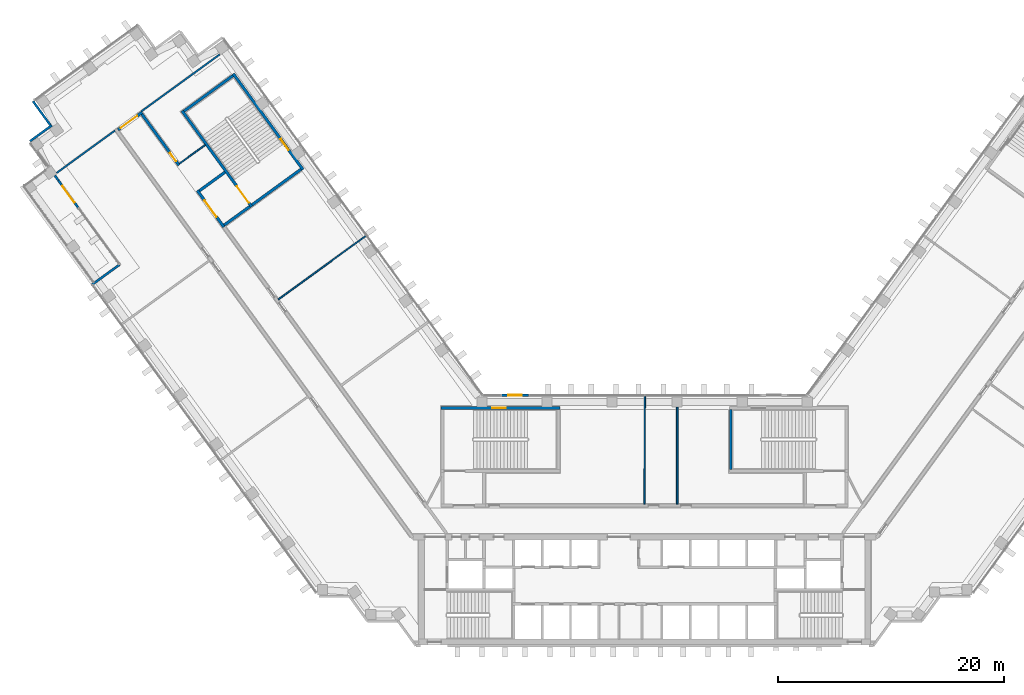
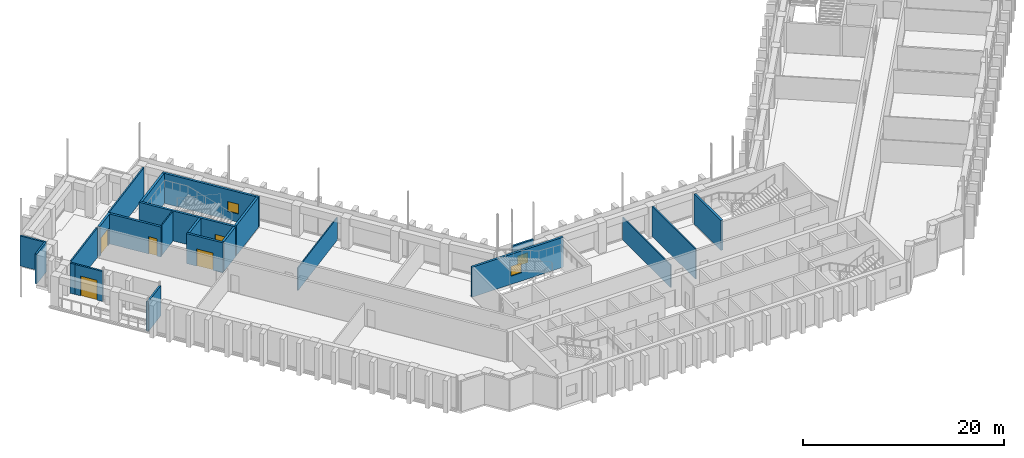
# One storey, part 13 of 19: 23 walls, 5 doors, 3 windows, 8 openings.
"""IFC4 building model written with IfcOpenShell, lengths in metres."""

from ifc_helpers import new_model, si_unit, direction, frame, frame_2d, origin, place, context, subcontext, project, spatial, rectangle, extrude, material, layer, layer_set, type_object, element, fill, save


model = new_model("IFC4")

# Units and contexts
model_context = context("Model", 3, precision=1e-05, world=origin(), true_north=direction((0.0, 1.0)))
body_context = subcontext(model_context, "Body", "Model", "MODEL_VIEW")
ifc_project = project(units=[si_unit("LENGTHUNIT", "METRE"), si_unit("AREAUNIT", "SQUARE_METRE"), si_unit("VOLUMEUNIT", "CUBIC_METRE"), si_unit("PLANEANGLEUNIT", "RADIAN"), si_unit("MASSUNIT", "GRAM", prefix="KILO")], contexts=[model_context])

# Site, building, storey
site_placement = place(None, origin())
site = spatial("IfcSite", under=ifc_project, at=site_placement, CompositionType="ELEMENT")
building_placement = place(site_placement, origin())
building = spatial("IfcBuilding", under=site, at=building_placement, Name="Quipu Civic Tower", CompositionType="ELEMENT")
storey_placement = place(building_placement, frame((0.0, 0.0, 35.0)))
storey = spatial("IfcBuildingStorey", under=building, at=storey_placement, Name="L07", CompositionType="ELEMENT", Elevation=35.0)

# Walls
ifc_material_1 = material(Name="Double gypsum plasterboard with mineral wool")
ifc_layer_1 = layer(ifc_material_1, 0.14990234375)
ifc_layer_set_1 = layer_set([ifc_layer_1], Name="Double gypsum plasterboard with mineral wool")
wall_type_1 = type_object("IfcWallType", Name="Acoustic partition 150 plasterboard", PredefinedType="PARTITIONING", material=ifc_layer_set_1)
wall_1_placement = place(storey_placement, frame((-37.614013671875, 41.2568359375, 0.0), z_axis=(0.0, 0.0, 1.0), x_axis=(-0.808991595707, -0.587820208972, 0.0)))
element("IfcWall", 1, at=wall_1_placement, inside=storey, type_object=wall_type_1, Name="Partition P07", PredefinedType="PARTITIONING", context=body_context, shape_type="SweptSolid", body=[
    extrude(rectangle(XDim=8.550537109375, YDim=0.14990234375, at=frame_2d((4.275390625, 0.0))), origin(), (0.0, 0.0, 1.0), 3.64990234375),
])
wall_2_placement = place(storey_placement, frame((-46.87744140625, 34.526123046875, 0.0), z_axis=(0.0, 0.0, 1.0), x_axis=(-0.809011722304, -0.587792508607, 0.0)))
element("IfcWall", 2, at=wall_2_placement, inside=storey, type_object=wall_type_1, Name="Partition P10", PredefinedType="PARTITIONING", context=body_context, shape_type="SweptSolid", body=[
    extrude(rectangle(XDim=6.394287109375, YDim=0.14990234375, at=frame_2d((3.197265625, 0.0))), origin(), (0.0, 0.0, 1.0), 3.64990234375),
])
wall_3_placement = place(storey_placement, frame((2.89892578125, 10.044921875, 0.0), z_axis=(0.0, 0.0, 1.0), x_axis=(0.0, -1.0, 0.0)))
element("IfcWall", 3, at=wall_3_placement, inside=storey, type_object=wall_type_1, Name="Partition P14", PredefinedType="PARTITIONING", context=body_context, shape_type="SweptSolid", body=[
    extrude(rectangle(XDim=8.594970703125, YDim=0.14990234375, at=frame_2d((4.29736328125, 0.0))), origin(), (0.0, 0.0, 1.0), 3.64990234375),
])

# Wall, opening, window
ifc_material_2 = material(Name="Concrete C70/85", Category="concrete")
ifc_layer_2 = layer(ifc_material_2, 0.25)
ifc_layer_set_2 = layer_set([ifc_layer_2], Name="Concrete C70/85")
wall_type_2 = type_object("IfcWallType", Name="Core wall 250", PredefinedType="SHEAR", material=ifc_layer_set_2)
wall_4_placement = place(storey_placement, frame((-18.0, 9.97509765625, 0.0), z_axis=(0.0, 0.0, 1.0), x_axis=(1.0, 0.0, 0.0)))
wall_4 = element("IfcWall", 4, at=wall_4_placement, inside=storey, type_object=wall_type_2, Name="Core wall", PredefinedType="SHEAR", context=body_context, shape_type="SweptSolid", body=[
    extrude(rectangle(XDim=10.5, YDim=0.25, at=frame_2d((5.25, 0.0))), origin(), (0.0, 0.0, 1.0), 3.64990234375),
])
opening_1_placement = place(wall_4_placement, frame((4.5, 0.0, 1.0)))
opening_1 = element("IfcOpeningElement", 5, at=opening_1_placement, cuts=wall_4, Name="Opening SV-3", PredefinedType="OPENING", context=body_context, shape_type="SweptSolid", body=[
    extrude(rectangle(XDim=1.199951171875, YDim=1.199951171875, at=frame_2d((0.60009765625, 0.60009765625))), frame((0.0, 0.135009765625, 0.0), z_axis=(0.0, -1.0, 0.0), x_axis=(1.0, 0.0, 0.0)), (0.0, 0.0, 1.0), 0.27001953125),
])
ifc_material_3 = material(Name="Aluminium louvre", Category="aluminium")
window_type_1 = type_object("IfcWindowType", Name="Stair ventilation louvre 1200 x 1200", PartitioningType="SINGLE_PANEL", PredefinedType="WINDOW", material=ifc_material_3)
window_1_placement = place(opening_1_placement, origin())
window_1 = element("IfcWindow", 6, at=window_1_placement, inside=storey, type_object=window_type_1, Name="Stair ventilation opening", OverallHeight=1.199951171875, OverallWidth=1.199951171875, PartitioningType="SINGLE_PANEL", PredefinedType="WINDOW", context=body_context, shape_type="SweptSolid", body=[
    extrude(rectangle(XDim=1.199951171875, YDim=1.199951171875, at=frame_2d((0.60009765625, 0.60009765625))), frame((0.0, 0.030029296875, 0.0), z_axis=(0.0, -1.0, 0.0), x_axis=(1.0, 0.0, 0.0)), (0.0, 0.0, 1.0), 0.06005859375),
])
fill(opening_1, window_1)

# Wall
wall_5_placement = place(storey_placement, frame((7.625, 4.5, 0.0), z_axis=(0.0, 0.0, 1.0), x_axis=(0.0, 1.0, 0.0)))
element("IfcWall", 7, at=wall_5_placement, inside=storey, type_object=wall_type_2, Name="Core wall", PredefinedType="SHEAR", context=body_context, shape_type="SweptSolid", body=[
    extrude(rectangle(XDim=5.35009765625, YDim=0.25, at=frame_2d((2.675048828125, 0.0))), origin(), (0.0, 0.0, 1.0), 3.64990234375),
])

# Wall, opening, window
wall_6_placement = place(storey_placement, frame((-30.239501953125, 31.06396484375, 0.0), z_axis=(0.0, 0.0, 1.0), x_axis=(-0.587795589702, 0.809009483706, 0.0)))
wall_6 = element("IfcWall", 8, at=wall_6_placement, inside=storey, type_object=wall_type_2, Name="Core wall", PredefinedType="SHEAR", context=body_context, shape_type="SweptSolid", body=[
    extrude(rectangle(XDim=10.5, YDim=0.25, at=frame_2d((5.25, 0.0))), origin(), (0.0, 0.0, 1.0), 3.64990234375),
])
opening_2_placement = place(wall_6_placement, frame((2.14990234375, 0.0, 1.0)))
opening_2 = element("IfcOpeningElement", 9, at=opening_2_placement, cuts=wall_6, Name="Opening SV-6", PredefinedType="OPENING", context=body_context, shape_type="SweptSolid", body=[
    extrude(rectangle(XDim=1.199951171875, YDim=1.199951171875, at=frame_2d((0.60009765625, 0.60009765625))), frame((0.0, 0.135009765625, 0.0), z_axis=(0.0, -1.0, 0.0), x_axis=(1.0, 0.0, 0.0)), (0.0, 0.0, 1.0), 0.27001953125),
])
window_2_placement = place(opening_2_placement, origin())
window_2 = element("IfcWindow", 10, at=window_2_placement, inside=storey, type_object=window_type_1, Name="Stair ventilation opening", OverallHeight=1.199951171875, OverallWidth=1.199951171875, PartitioningType="SINGLE_PANEL", PredefinedType="WINDOW", context=body_context, shape_type="SweptSolid", body=[
    extrude(rectangle(XDim=1.199951171875, YDim=1.199951171875, at=frame_2d((0.60009765625, 0.60009765625))), frame((0.0, 0.030029296875, 0.0), z_axis=(0.0, -1.0, 0.0), x_axis=(1.0, 0.0, 0.0)), (0.0, 0.0, 1.0), 0.06005859375),
])
fill(opening_2, window_2)

# Walls
wall_7_placement = place(storey_placement, frame((-30.414306640625, 31.091796875, 0.0), z_axis=(0.0, 0.0, 1.0), x_axis=(-0.8089984606, -0.587810760999, 0.0)))
element("IfcWall", 11, at=wall_7_placement, inside=storey, type_object=wall_type_2, Name="Core wall", PredefinedType="SHEAR", context=body_context, shape_type="SweptSolid", body=[
    extrude(rectangle(XDim=5.35009765625, YDim=0.25, at=frame_2d((2.675048828125, 0.0))), origin(), (0.0, 0.0, 1.0), 3.64990234375),
])
wall_8_placement = place(storey_placement, frame((-36.43896484375, 39.384033203125, 0.0), z_axis=(0.0, 0.0, 1.0), x_axis=(-0.809020161303, -0.587780893365, 0.0)))
element("IfcWall", 12, at=wall_8_placement, inside=storey, type_object=wall_type_2, Name="Core wall", PredefinedType="SHEAR", context=body_context, shape_type="SweptSolid", body=[
    extrude(rectangle(XDim=5.349853515625, YDim=0.25, at=frame_2d((2.6748046875, 0.0))), origin(), (0.0, 0.0, 1.0), 3.64990234375),
])

# Wall, opening, door
wall_9_placement = place(storey_placement, frame((-40.94189453125, 36.26708984375, 0.0), z_axis=(0.0, 0.0, 1.0), x_axis=(0.587795589702, -0.809009483706, 0.0)))
wall_9 = element("IfcWall", 13, at=wall_9_placement, inside=storey, type_object=wall_type_2, Name="Core wall", PredefinedType="SHEAR", context=body_context, shape_type="SweptSolid", body=[
    extrude(rectangle(XDim=10.5, YDim=0.25, at=frame_2d((5.25, 0.0))), origin(), (0.0, 0.0, 1.0), 3.64990234375),
])
opening_3_placement = place(wall_9_placement, frame((8.25, 0.0, 0.0)))
opening_3 = element("IfcOpeningElement", 14, at=opening_3_placement, cuts=wall_9, Name="Opening CD-19", PredefinedType="OPENING", context=body_context, shape_type="SweptSolid", body=[
    extrude(rectangle(XDim=1.800048828125, YDim=2.10009765625, at=frame_2d((0.89990234375, 1.050048828125))), frame((0.0, 0.135009765625, 0.0), z_axis=(0.0, -1.0, 0.0), x_axis=(1.0, 0.0, 0.0)), (0.0, 0.0, 1.0), 0.27001953125),
])
ifc_material_4 = material(Name="Fire rated steel door", Category="steel")
door_type_1 = type_object("IfcDoorType", Name="Fire door FD90 double 1800 x 2100", OperationType="NOTDEFINED", PredefinedType="DOOR", material=ifc_material_4)
door_1_placement = place(opening_3_placement, origin())
door_1 = element("IfcDoor", 15, at=door_1_placement, inside=storey, type_object=door_type_1, Name="Door", OperationType="DOUBLE_DOOR_SINGLE_SWING", OverallHeight=2.10009765625, OverallWidth=1.800048828125, PredefinedType="DOOR", context=body_context, shape_type="SweptSolid", body=[
    extrude(rectangle(XDim=1.800048828125, YDim=2.10009765625, at=frame_2d((0.89990234375, 1.050048828125))), frame((0.0, 0.02490234375, 0.0), z_axis=(0.0, -1.0, 0.0), x_axis=(1.0, 0.0, 0.0)), (0.0, 0.0, 1.0), 0.050048828125),
])
fill(opening_3, door_1)

# Walls
for number, where, z_axis, x_axis, name in (
    (16, (-34.944580078125, 27.800048828125, 0.0), (0.0, 0.0, 1.0), (-0.809041377956, -0.587751689708, 0.0), "Core wall"),
    (17, (-37.14892578125, 30.833984375, 0.0), (0.0, 0.0, 1.0), (-0.808969789945, -0.58785021813, 0.0), "Core wall"),
):
    element("IfcWall", number, at=place(storey_placement, frame(where, z_axis=z_axis, x_axis=x_axis)), inside=storey, type_object=wall_type_2, Name=name, PredefinedType="SHEAR", context=body_context, shape_type="SweptSolid", body=[
        extrude(rectangle(XDim=2.800048828125, YDim=0.25, at=frame_2d((1.39990234375, 0.0))), origin(), (0.0, 0.0, 1.0), 3.64990234375),
    ])

# Wall, opening, door
wall_10_placement = place(storey_placement, frame((-39.588623046875, 29.2158203125, 0.0), z_axis=(0.0, 0.0, 1.0), x_axis=(0.587772420479, -0.809026317077, 0.0)))
wall_10 = element("IfcWall", 18, at=wall_10_placement, inside=storey, type_object=wall_type_2, Name="Core wall", PredefinedType="SHEAR", context=body_context, shape_type="SweptSolid", body=[
    extrude(rectangle(XDim=4.0, YDim=0.25, at=frame_2d((2.0, 0.0))), origin(), (0.0, 0.0, 1.0), 3.64990234375),
])
opening_4_placement = place(wall_10_placement, frame((1.10009765625, 0.0, 0.0)))
opening_4 = element("IfcOpeningElement", 19, at=opening_4_placement, cuts=wall_10, Name="Opening CD-20", PredefinedType="OPENING", context=body_context, shape_type="SweptSolid", body=[
    extrude(rectangle(XDim=1.800048828125, YDim=2.10009765625, at=frame_2d((0.89990234375, 1.050048828125))), frame((0.0, 0.135009765625, 0.0), z_axis=(0.0, -1.0, 0.0), x_axis=(1.0, 0.0, 0.0)), (0.0, 0.0, 1.0), 0.27001953125),
])
door_2_placement = place(opening_4_placement, origin())
door_2 = element("IfcDoor", 20, at=door_2_placement, inside=storey, type_object=door_type_1, Name="Lobby door", OperationType="DOUBLE_DOOR_SINGLE_SWING", OverallHeight=2.10009765625, OverallWidth=1.800048828125, PredefinedType="DOOR", context=body_context, shape_type="SweptSolid", body=[
    extrude(rectangle(XDim=1.800048828125, YDim=2.10009765625, at=frame_2d((0.89990234375, 1.050048828125))), frame((0.0, 0.02490234375, 0.0), z_axis=(0.0, -1.0, 0.0), x_axis=(1.0, 0.0, 0.0)), (0.0, 0.0, 1.0), 0.050048828125),
])
fill(opening_4, door_2)

ifc_material_5 = material(Name="Concrete C50/60", Category="concrete")
ifc_layer_3 = layer(ifc_material_5, 0.25)
ifc_layer_set_3 = layer_set([ifc_layer_3], Name="Concrete C50/60")
wall_type_3 = type_object("IfcWallType", Name="Corridor wall 250 concrete", PredefinedType="SOLIDWALL", material=ifc_layer_set_3)
wall_11_placement = place(storey_placement, frame((-46.613037109375, 34.587890625, 0.0), z_axis=(0.0, 0.0, 1.0), x_axis=(0.808994936898, 0.587815610607, 0.0)))
wall_11 = element("IfcWall", 21, at=wall_11_placement, inside=storey, type_object=wall_type_3, Name="Corridor wall C02", PredefinedType="SOLIDWALL", context=body_context, shape_type="SweptSolid", body=[
    extrude(rectangle(XDim=2.650146484375, YDim=0.25, at=frame_2d((1.3251953125, 0.0))), origin(), (0.0, 0.0, 1.0), 3.64990234375),
])
opening_5_placement = place(wall_11_placement, frame((0.29931640625, 0.0, 0.0)))
opening_5 = element("IfcOpeningElement", 22, at=opening_5_placement, cuts=wall_11, Name="Opening D020", PredefinedType="OPENING", context=body_context, shape_type="SweptSolid", body=[
    extrude(rectangle(XDim=1.800048828125, YDim=2.10009765625, at=frame_2d((0.89990234375, 1.050048828125))), frame((0.0, 0.135009765625, 0.0), z_axis=(0.0, -1.0, 0.0), x_axis=(1.0, 0.0, 0.0)), (0.0, 0.0, 1.0), 0.27001953125),
])
ifc_material_6 = material(Name="Fire rated timber door set with metal frame", Category="wood")
door_type_2 = type_object("IfcDoorType", Name="Double door 1800 x 2100 FD60", OperationType="DOUBLE_DOOR_SINGLE_SWING", PredefinedType="DOOR", material=ifc_material_6)
door_3_placement = place(opening_5_placement, origin())
door_3 = element("IfcDoor", 23, at=door_3_placement, inside=storey, type_object=door_type_2, Name="Door D020", OperationType="DOUBLE_DOOR_SINGLE_SWING", OverallHeight=2.10009765625, OverallWidth=1.800048828125, PredefinedType="DOOR", context=body_context, shape_type="SweptSolid", body=[
    extrude(rectangle(XDim=1.800048828125, YDim=2.10009765625, at=frame_2d((0.89990234375, 1.050048828125))), frame((0.0, 0.02490234375, 0.0), z_axis=(0.0, -1.0, 0.0), x_axis=(1.0, 0.0, 0.0)), (0.0, 0.0, 1.0), 0.050048828125),
])
fill(opening_5, door_3)

wall_12_placement = place(storey_placement, frame((-44.49658203125, 35.97119140625, 0.0), z_axis=(0.0, 0.0, 1.0), x_axis=(0.587742866856, -0.809047787501, 0.0)))
wall_12 = element("IfcWall", 24, at=wall_12_placement, inside=storey, type_object=wall_type_3, Name="Corridor wall C03", PredefinedType="SOLIDWALL", context=body_context, shape_type="SweptSolid", body=[
    extrude(rectangle(XDim=5.58642578125, YDim=0.25, at=frame_2d((2.793212890625, 0.0))), origin(), (0.0, 0.0, 1.0), 3.64990234375),
])
opening_6_placement = place(wall_12_placement, frame((4.2451171875, 0.0, 0.0)))
opening_6 = element("IfcOpeningElement", 25, at=opening_6_placement, cuts=wall_12, Name="Opening D013", PredefinedType="OPENING", context=body_context, shape_type="SweptSolid", body=[
    extrude(rectangle(XDim=0.89990234375, YDim=2.10009765625, at=frame_2d((0.449951171875, 1.050048828125))), frame((0.0, 0.135009765625, 0.0), z_axis=(0.0, -1.0, 0.0), x_axis=(1.0, 0.0, 0.0)), (0.0, 0.0, 1.0), 0.27001953125),
])
ifc_material_7 = material(Name="Fire rated timber door set with metal frame", Category="wood")
door_type_3 = type_object("IfcDoorType", Name="Single door 900 x 2100 FD60", OperationType="NOTDEFINED", PredefinedType="DOOR", material=ifc_material_7)
door_4_placement = place(opening_6_placement, origin())
door_4 = element("IfcDoor", 26, at=door_4_placement, inside=storey, type_object=door_type_3, Name="Door D013", OperationType="SINGLE_SWING_RIGHT", OverallHeight=2.10009765625, OverallWidth=0.89990234375, PredefinedType="DOOR", context=body_context, shape_type="SweptSolid", body=[
    extrude(rectangle(XDim=0.89990234375, YDim=2.10009765625, at=frame_2d((0.449951171875, 1.050048828125))), frame((0.0, 0.02490234375, 0.0), z_axis=(0.0, -1.0, 0.0), x_axis=(1.0, 0.0, 0.0)), (0.0, 0.0, 1.0), 0.050048828125),
])
fill(opening_6, door_4)

# Walls
ifc_material_8 = material(Name="Gypsum plasterboard on light gauge framing")
ifc_layer_4 = layer(ifc_material_8, 0.1201171875)
ifc_layer_set_4 = layer_set([ifc_layer_4], Name="Gypsum plasterboard on light gauge framing")
wall_type_4 = type_object("IfcWallType", Name="Partition 120 plasterboard", PredefinedType="PARTITIONING", material=ifc_layer_set_4)
wall_13_placement = place(storey_placement, frame((-24.61767578125, 25.24169921875, 0.0), z_axis=(0.0, 0.0, 1.0), x_axis=(-0.809002920164, -0.587804623294, 0.0)))
element("IfcWall", 27, at=wall_13_placement, inside=storey, type_object=wall_type_4, Name="Partition P09", PredefinedType="PARTITIONING", context=body_context, shape_type="SweptSolid", body=[
    extrude(rectangle(XDim=9.65087890625, YDim=0.1201171875, at=frame_2d((4.825439453125, 0.0))), origin(), (0.0, 0.0, 1.0), 2.75),
])
wall_14_placement = place(storey_placement, frame((0.022705078125, 11.0, 0.0), z_axis=(0.0, 0.0, 1.0), x_axis=(-0.002377476217, -0.999997173799, 0.0)))
element("IfcWall", 28, at=wall_14_placement, inside=storey, type_object=wall_type_4, Name="Partition P15", PredefinedType="PARTITIONING", context=body_context, shape_type="SweptSolid", body=[
    extrude(rectangle(XDim=9.550048828125, YDim=0.1201171875, at=frame_2d((4.77490234375, 0.0))), origin(), (0.0, 0.0, 1.0), 2.75),
])
wall_15_placement = place(storey_placement, frame((-41.166015625, 31.59912109375, 0.0), z_axis=(0.0, 0.0, 1.0), x_axis=(0.809090262332, 0.587684394381, 0.0)))
element("IfcWall", 29, at=wall_15_placement, inside=storey, type_object=wall_type_4, Name="Partition P16", PredefinedType="PARTITIONING", context=body_context, shape_type="SweptSolid", body=[
    extrude(rectangle(XDim=2.80078125, YDim=0.1201171875, at=frame_2d((1.400390625, 0.0))), origin(), (0.0, 0.0, 1.0), 3.64990234375),
])
ifc_material_9 = material(Name="Precast concrete C40/50", Category="concrete")
wall_type_5 = type_object("IfcWallType", Name="Precast cladding wall", PredefinedType="SOLIDWALL", material=ifc_material_9)
wall_16_placement = place(storey_placement, frame((-52.46533203125, 34.9873046875, 0.0), z_axis=(0.0, 0.0, 1.0), x_axis=(-0.809026317077, -0.587772420479, 0.0)))
element("IfcWall", 30, at=wall_16_placement, inside=storey, type_object=wall_type_5, Name="Precast cladding wall L07 1", PredefinedType="SOLIDWALL", context=body_context, shape_type="SweptSolid", body=[
    extrude(rectangle(XDim=2.39990234375, YDim=0.199951171875, at=frame_2d((1.199951171875, 0.0))), origin(), (0.0, 0.0, 1.0), 3.64990234375),
])
wall_17_placement = place(storey_placement, frame((-46.471923828125, 22.65478515625, 0.0), z_axis=(0.0, 0.0, 1.0), x_axis=(-0.809038637837, -0.587755461469, 0.0)))
element("IfcWall", 31, at=wall_17_placement, inside=storey, type_object=wall_type_5, Name="Precast cladding wall L07 6", PredefinedType="SOLIDWALL", context=body_context, shape_type="SweptSolid", body=[
    extrude(rectangle(XDim=2.999755859375, YDim=0.199951171875, at=frame_2d((1.5, 0.0))), origin(), (0.0, 0.0, 1.0), 3.64990234375),
])

# Wall, opening, window
wall_18_placement = place(storey_placement, frame((-10.263427734375, 11.10009765625, 0.0), z_axis=(0.0, 0.0, 1.0), x_axis=(-1.0, 0.0, 0.0)))
wall_18 = element("IfcWall", 32, at=wall_18_placement, inside=storey, type_object=wall_type_5, Name="Vent surround SF-L06-1", PredefinedType="SOLIDWALL", context=body_context, shape_type="SweptSolid", body=[
    extrude(rectangle(XDim=2.3916015625, YDim=0.199951171875, at=frame_2d((1.19580078125, 0.0))), origin(), (0.0, 0.0, 1.0), 3.64990234375),
])
opening_7_placement = place(wall_18_placement, frame((0.595703125, 0.0, 1.0)))
opening_7 = element("IfcOpeningElement", 33, at=opening_7_placement, cuts=wall_18, Name="Opening SF-L06-1", PredefinedType="OPENING", context=body_context, shape_type="SweptSolid", body=[
    extrude(rectangle(XDim=1.199951171875, YDim=1.199951171875, at=frame_2d((0.60009765625, 0.60009765625))), frame((0.0, 0.10986328125, 0.0), z_axis=(0.0, -1.0, 0.0), x_axis=(1.0, 0.0, 0.0)), (0.0, 0.0, 1.0), 0.219970703125),
])
ifc_material_10 = material(Name="Anodised aluminium louvre", Category="aluminium")
window_type_2 = type_object("IfcWindowType", Name="Stair vent louvre window P3", PartitioningType="SINGLE_PANEL", PredefinedType="WINDOW", material=ifc_material_10)
window_3_placement = place(opening_7_placement, origin())
window_3 = element("IfcWindow", 34, at=window_3_placement, inside=storey, type_object=window_type_2, Name="Stair vent louvre SF-L06-1", OverallHeight=1.199951171875, OverallWidth=1.199951171875, PartitioningType="SINGLE_PANEL", PredefinedType="WINDOW", context=body_context, shape_type="SweptSolid", body=[
    extrude(rectangle(XDim=1.199951171875, YDim=1.199951171875, at=frame_2d((0.60009765625, 0.60009765625))), frame((0.0, 0.030029296875, 0.0), z_axis=(0.0, -1.0, 0.0), x_axis=(1.0, 0.0, 0.0)), (0.0, 0.0, 1.0), 0.06005859375),
])
fill(opening_7, window_3)

# Wall
wall_19_placement = place(storey_placement, frame((-54.140380859375, 37.12255859375, 0.0), z_axis=(0.0, 0.0, 1.0), x_axis=(0.587822180636, -0.808990163075, 0.0)))
element("IfcWall", 35, at=wall_19_placement, inside=storey, type_object=wall_type_5, Name="Precast cladding wall L07 P35", PredefinedType="SOLIDWALL", context=body_context, shape_type="SweptSolid", body=[
    extrude(rectangle(XDim=2.699951171875, YDim=0.199951171875, at=frame_2d((1.35009765625, 0.0))), origin(), (0.0, 0.0, 1.0), 3.64990234375),
])

# Wall, opening, door
ifc_material_11 = material(Name="Precast concrete C40/50", Category="concrete")
wall_type_6 = type_object("IfcWallType", Name="Precast door surround", PredefinedType="SOLIDWALL", material=ifc_material_11)
wall_20_placement = place(storey_placement, frame((-50.123291015625, 27.680419921875, 0.0), z_axis=(0.0, 0.0, 1.0), x_axis=(-0.587755461469, 0.809038637837, 0.0)))
wall_20 = element("IfcWall", 36, at=wall_20_placement, inside=storey, type_object=wall_type_6, Name="Door surround ED-L07-1", PredefinedType="SOLIDWALL", context=body_context, shape_type="SweptSolid", body=[
    extrude(rectangle(XDim=2.999755859375, YDim=0.199951171875, at=frame_2d((1.5, 0.0))), origin(), (0.0, 0.0, 1.0), 3.64990234375),
])
opening_8_placement = place(wall_20_placement, frame((0.60009765625, 0.0, 0.0)))
opening_8 = element("IfcOpeningElement", 37, at=opening_8_placement, cuts=wall_20, Name="Opening ED-L07-1", PredefinedType="OPENING", context=body_context, shape_type="SweptSolid", body=[
    extrude(rectangle(XDim=1.800048828125, YDim=2.39990234375, at=frame_2d((0.89990234375, 1.199951171875))), frame((0.0, 0.10986328125, 0.0), z_axis=(0.0, -1.0, 0.0), x_axis=(1.0, 0.0, 0.0)), (0.0, 0.0, 1.0), 0.219970703125),
])
ifc_material_12 = material(Name="Aluminium framed glazed door", Category="aluminium")
door_type_4 = type_object("IfcDoorType", Name="Terrace door E3", OperationType="DOUBLE_DOOR_SINGLE_SWING", PredefinedType="DOOR", material=ifc_material_12)
door_5_placement = place(opening_8_placement, origin())
door_5 = element("IfcDoor", 38, at=door_5_placement, inside=storey, type_object=door_type_4, Name="E3 door ED-L07-1", OperationType="DOUBLE_DOOR_SINGLE_SWING", OverallHeight=2.39990234375, OverallWidth=1.800048828125, PredefinedType="DOOR", context=body_context, shape_type="SweptSolid", body=[
    extrude(rectangle(XDim=1.800048828125, YDim=2.39990234375, at=frame_2d((0.89990234375, 1.199951171875))), frame((0.0, 0.02490234375, 0.0), z_axis=(0.0, -1.0, 0.0), x_axis=(1.0, 0.0, 0.0)), (0.0, 0.0, 1.0), 0.050048828125),
])
fill(opening_8, door_5)

# Wall
wall_21_placement = place(storey_placement, frame((-51.88671875, 30.107421875, 0.0), z_axis=(0.0, 0.0, 1.0), x_axis=(-0.587825586486, 0.808987688332, 0.0)))
element("IfcWall", 39, at=wall_21_placement, inside=storey, type_object=wall_type_6, Name="Door surround ED-L07-1", PredefinedType="SOLIDWALL", context=body_context, shape_type="SweptSolid", body=[
    extrude(rectangle(XDim=0.54541015625, YDim=0.199951171875, at=frame_2d((0.272705078125, 0.0))), origin(), (0.0, 0.0, 1.0), 3.64990234375),
])

save(model, "model.ifc")
